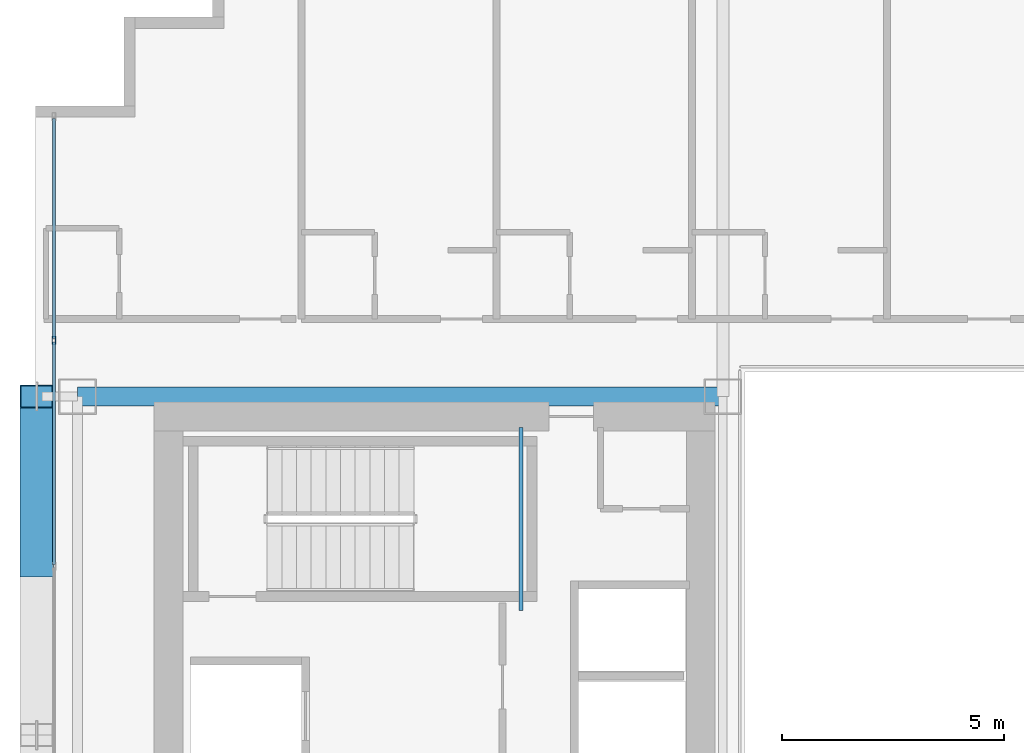
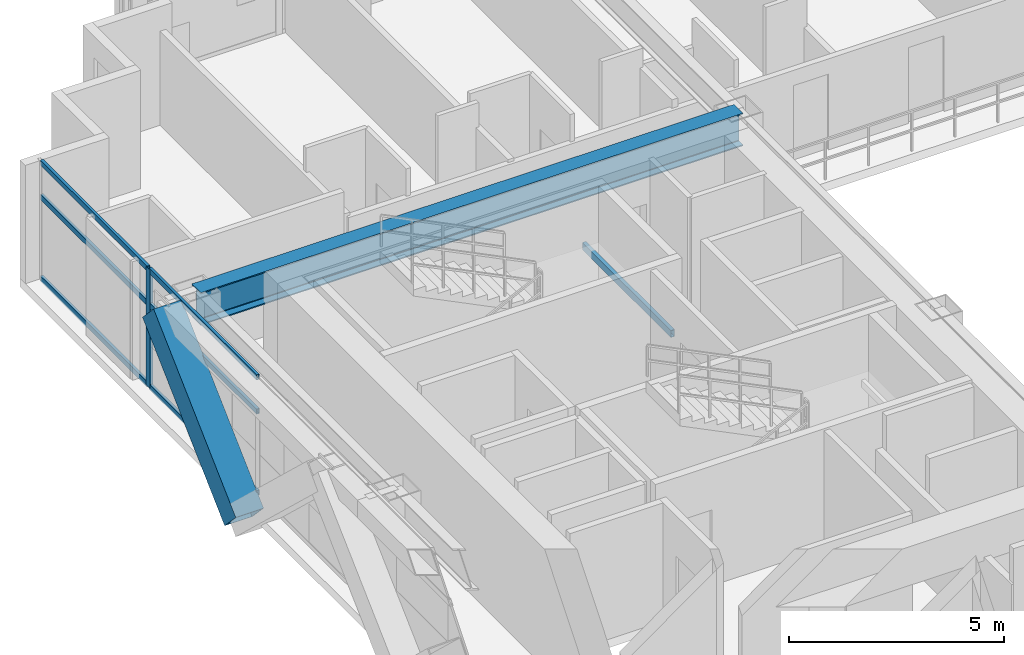
# One storey, part 16 of 36: 8 members, 2 beams, 1 element without a shape of its own.
"""IFC4 building model written with IfcOpenShell, lengths in metres."""

from ifc_helpers import new_model, si_unit, direction, frame, origin, origin_2d, place, context, subcontext, project, spatial, hollow_rectangle, i_section, extrude, source, transform, mapped, material, layer, layer_set, material_profile, profile_set, type_object, element, aggregate, save


model = new_model("IFC4")

# Units and contexts
model_context = context("Model", 3, precision=1e-05, world=origin(), true_north=direction((0.0, 1.0)))
body_context = subcontext(model_context, "Body", "Model", "MODEL_VIEW")
ifc_project = project(units=[si_unit("LENGTHUNIT", "METRE"), si_unit("AREAUNIT", "SQUARE_METRE"), si_unit("VOLUMEUNIT", "CUBIC_METRE"), si_unit("PLANEANGLEUNIT", "RADIAN"), si_unit("MASSUNIT", "GRAM", prefix="KILO")], contexts=[model_context])

# Site, building, storey
site_placement = place(None, origin())
site = spatial("IfcSite", under=ifc_project, at=site_placement, CompositionType="ELEMENT")
building_placement = place(site_placement, origin())
building = spatial("IfcBuilding", under=site, at=building_placement, Name="Ocotamira Hotel", CompositionType="ELEMENT")
storey_placement = place(building_placement, frame((0.0, 0.0, 136.800048828125)))
storey = spatial("IfcBuildingStorey", under=building, at=storey_placement, Name="L34", CompositionType="ELEMENT", Elevation=136.800048828125)

# Beams
ifc_material_1 = material(Name="Steel ASTM A500 Grade C", Category="steel")
ifc_material_profile_1 = material_profile(ifc_material_1, hollow_rectangle(XDim=0.10009765625, YDim=0.199951171875, WallThickness=0.008056640625, at=origin_2d()), Name="HSS200X100X8")
ifc_profile_set_1 = profile_set([ifc_material_profile_1], Name="Steel ASTM A500 Grade C")
beam_type_1 = type_object("IfcBeamType", Name="BM-STLDG-HSS200", PredefinedType="BEAM", material=ifc_profile_set_1)
shared_shape_1 = source(origin(), body_context, "Body", "SweptSolid", [
    extrude(hollow_rectangle(XDim=0.10009765625, YDim=0.199951171875, WallThickness=0.008056640625, at=origin_2d()), origin(), (0.0, 0.0, 1.0), 4.1201171875),
])
beam_1_placement = place(storey_placement, frame((18.949951171875, 32.6298828125, 1.5), z_axis=(0.0, 1.0, 0.0), x_axis=(-1.0, 0.0, 0.0)))
element("IfcBeam", 1, at=beam_1_placement, inside=storey, type_object=beam_type_1, Name="L34 Stair ST-2 Landing Bearer 1", PredefinedType="BEAM", context=body_context, shape_type="MappedRepresentation", body=[
    mapped(shared_shape_1, transform((0.0, 0.0, 0.0), scale=1.0)),
])
ifc_material_2 = material(Name="Steel ASTM A992 Grade 50", Category="steel")
ifc_material_profile_2 = material_profile(ifc_material_2, i_section(OverallWidth=0.41796875, OverallDepth=0.927001953125, WebThickness=0.019287109375, FlangeThickness=0.031982421875, FilletRadius=0.02392578125, at=origin_2d()), Name="W36X231")
ifc_profile_set_2 = profile_set([ifc_material_profile_2], Name="Steel ASTM A992 Grade 50")
beam_type_2 = type_object("IfcBeamType", Name="BM-GIRD-W36X231", PredefinedType="BEAM", material=ifc_profile_set_2)
shared_shape_2 = source(origin(), body_context, "Body", "SweptSolid", [
    extrude(i_section(OverallWidth=0.41796875, OverallDepth=0.927001953125, WebThickness=0.019287109375, FlangeThickness=0.031982421875, FilletRadius=0.02392578125, at=origin_2d()), origin(), (0.0, 0.0, 1.0), 14.550048828125),
])
beam_2_placement = place(storey_placement, frame((8.949951171875, 37.449951171875, 2.896484375), z_axis=(1.0, 0.0, 0.0), x_axis=(0.0, 1.0, 0.0)))
element("IfcBeam", 2, at=beam_2_placement, inside=storey, type_object=beam_type_2, Name="L34 Girder Y37.45 X8.95-23.5", PredefinedType="BEAM", context=body_context, shape_type="MappedRepresentation", body=[
    mapped(shared_shape_2, transform((0.0, 0.0, 0.0), scale=1.0)),
])

# Member
ifc_material_3 = material(Name="Pale-metal coated steel ASTM A913 Grade 65", Category="steel")
ifc_material_profile_3 = material_profile(ifc_material_3, hollow_rectangle(XDim=0.75, YDim=0.75, WallThickness=0.028076171875, at=origin_2d()), Name="BOX750X750X28")
ifc_profile_set_3 = profile_set([ifc_material_profile_3], Name="Pale-metal coated steel ASTM A913 Grade 65")
member_type_1 = type_object("IfcMemberType", Name="MEM-EXO-BOX750", PredefinedType="BRACE", material=ifc_profile_set_3)
shared_shape_3 = source(origin(), body_context, "Body", "SweptSolid", [
    extrude(hollow_rectangle(XDim=0.75, YDim=0.75, WallThickness=0.028076171875, at=origin_2d()), origin(), (0.0, 0.0, 1.0), 5.24658203125),
])
member_1_placement = place(storey_placement, frame((8.030029296875, 33.63330078125, -0.489990234375), z_axis=(0.0, 0.72746596067, 0.686143772154), x_axis=(-1.0, 0.0, 0.0)))
element("IfcMember", 3, at=member_1_placement, inside=storey, type_object=member_type_1, Name="L34 Exoskeleton Diagrid W2.2", PredefinedType="BRACE", context=body_context, shape_type="MappedRepresentation", body=[
    mapped(shared_shape_3, transform((0.0, 0.0, 0.0), scale=1.0)),
])

# Curtain wall, members
ifc_material_4 = material(Name="Anodised pale-metal aluminium and solar glass", Category="aluminium")
ifc_layer = layer(ifc_material_4, 0.179931640625)
ifc_layer_set = layer_set([ifc_layer], Name="Anodised pale-metal aluminium and solar glass")
curtain_wall_type = type_object("IfcCurtainWallType", Name="CW-SYS3-Z2", PredefinedType="NOTDEFINED", material=ifc_layer_set)
curtain_wall_placement = place(storey_placement, origin())
curtain_wall = element("IfcCurtainWall", 4, at=curtain_wall_placement, inside=storey, type_object=curtain_wall_type, Name="L34 Curtain Wall CW-3 CW-L34-W", PredefinedType="NOTDEFINED")
ifc_material_5 = material(Name="Anodised pale-metal aluminium 6063-T6", Category="aluminium")
ifc_material_profile_4 = material_profile(ifc_material_5, hollow_rectangle(XDim=0.074951171875, YDim=0.14990234375, WallThickness=0.006103515625, at=origin_2d()), Name="HSS150X75X6")
ifc_profile_set_4 = profile_set([ifc_material_profile_4], Name="Anodised pale-metal aluminium 6063-T6")
member_type_2 = type_object("IfcMemberType", Name="CWT-150X75", PredefinedType="USERDEFINED", material=ifc_profile_set_4)
shared_shape_4 = source(origin(), body_context, "Body", "SweptSolid", [
    extrude(hollow_rectangle(XDim=0.074951171875, YDim=0.14990234375, WallThickness=0.006103515625, at=origin_2d()), origin(), (0.0, 0.0, 1.0), 4.965576171875),
])
member_2_placement = place(storey_placement, frame((8.419921875, 38.75439453125, 0.037353515625), z_axis=(0.0, 1.0, 0.0), x_axis=(-1.0, 0.0, 0.0)))
member_2 = element("IfcMember", 5, at=member_2_placement, type_object=member_type_2, Name="CW-3 transom 7.1", ObjectType="TRANSOM", PredefinedType="USERDEFINED", context=body_context, shape_type="MappedRepresentation", body=[
    mapped(shared_shape_4, transform((0.0, 0.0, 0.0), scale=1.0)),
])
member_3_placement = place(storey_placement, frame((8.419921875, 38.75439453125, 2.349853515625), z_axis=(0.0, 1.0, 0.0), x_axis=(-1.0, 0.0, 0.0)))
member_3 = element("IfcMember", 6, at=member_3_placement, type_object=member_type_2, Name="CW-3 transom 7.2", ObjectType="TRANSOM", PredefinedType="USERDEFINED", context=body_context, shape_type="MappedRepresentation", body=[
    mapped(shared_shape_4, transform((0.0, 0.0, 0.0), scale=1.0)),
])
member_4_placement = place(storey_placement, frame((8.419921875, 38.75439453125, 3.322509765625), z_axis=(0.0, 1.0, 0.0), x_axis=(-1.0, 0.0, 0.0)))
member_4 = element("IfcMember", 7, at=member_4_placement, type_object=member_type_2, Name="CW-3 transom 7.3", ObjectType="TRANSOM", PredefinedType="USERDEFINED", context=body_context, shape_type="MappedRepresentation", body=[
    mapped(shared_shape_4, transform((0.0, 0.0, 0.0), scale=1.0)),
])
shared_shape_5 = source(origin(), body_context, "Body", "SweptSolid", [
    extrude(hollow_rectangle(XDim=0.074951171875, YDim=0.14990234375, WallThickness=0.006103515625, at=origin_2d()), origin(), (0.0, 0.0, 1.0), 5.005859375),
])
member_5_placement = place(storey_placement, frame((8.419921875, 33.66845703125, 0.037353515625), z_axis=(0.0, 1.0, 0.0), x_axis=(-1.0, 0.0, 0.0)))
member_5 = element("IfcMember", 8, at=member_5_placement, type_object=member_type_2, Name="CW-3 transom 6.1", ObjectType="TRANSOM", PredefinedType="USERDEFINED", context=body_context, shape_type="MappedRepresentation", body=[
    mapped(shared_shape_5, transform((0.0, 0.0, 0.0), scale=1.0)),
])
member_6_placement = place(storey_placement, frame((8.419921875, 33.66845703125, 2.349853515625), z_axis=(0.0, 1.0, 0.0), x_axis=(-1.0, 0.0, 0.0)))
member_6 = element("IfcMember", 9, at=member_6_placement, type_object=member_type_2, Name="CW-3 transom 6.2", ObjectType="TRANSOM", PredefinedType="USERDEFINED", context=body_context, shape_type="MappedRepresentation", body=[
    mapped(shared_shape_5, transform((0.0, 0.0, 0.0), scale=1.0)),
])
member_7_placement = place(storey_placement, frame((8.419921875, 33.66845703125, 3.322509765625), z_axis=(0.0, 1.0, 0.0), x_axis=(-1.0, 0.0, 0.0)))
member_7 = element("IfcMember", 10, at=member_7_placement, type_object=member_type_2, Name="CW-3 transom 6.3", ObjectType="TRANSOM", PredefinedType="USERDEFINED", context=body_context, shape_type="MappedRepresentation", body=[
    mapped(shared_shape_5, transform((0.0, 0.0, 0.0), scale=1.0)),
])
ifc_material_profile_5 = material_profile(ifc_material_5, hollow_rectangle(XDim=0.080078125, YDim=0.179931640625, WallThickness=0.006103515625, at=origin_2d()), Name="HSS180X80X6")
ifc_profile_set_5 = profile_set([ifc_material_profile_5], Name="Anodised pale-metal aluminium 6063-T6")
member_type_3 = type_object("IfcMemberType", Name="CWM-180X75", PredefinedType="MULLION", material=ifc_profile_set_5)
shared_shape_6 = source(origin(), body_context, "Body", "SweptSolid", [
    extrude(hollow_rectangle(XDim=0.080078125, YDim=0.179931640625, WallThickness=0.006103515625, at=origin_2d()), origin(), (0.0, 0.0, 1.0), 3.35986328125),
])
member_8_placement = place(storey_placement, frame((8.419921875, 38.71435546875, 0.0), z_axis=(0.0, 0.0, 1.0), x_axis=(-1.0, 0.0, 0.0)))
member_8 = element("IfcMember", 11, at=member_8_placement, type_object=member_type_3, Name="CW-3 mullion 7", PredefinedType="MULLION", context=body_context, shape_type="MappedRepresentation", body=[
    mapped(shared_shape_6, transform((0.0, 0.0, 0.0), scale=1.0)),
])
aggregate(curtain_wall, [member_8, member_5, member_6, member_7, member_2, member_3, member_4])

save(model, "model.ifc")
